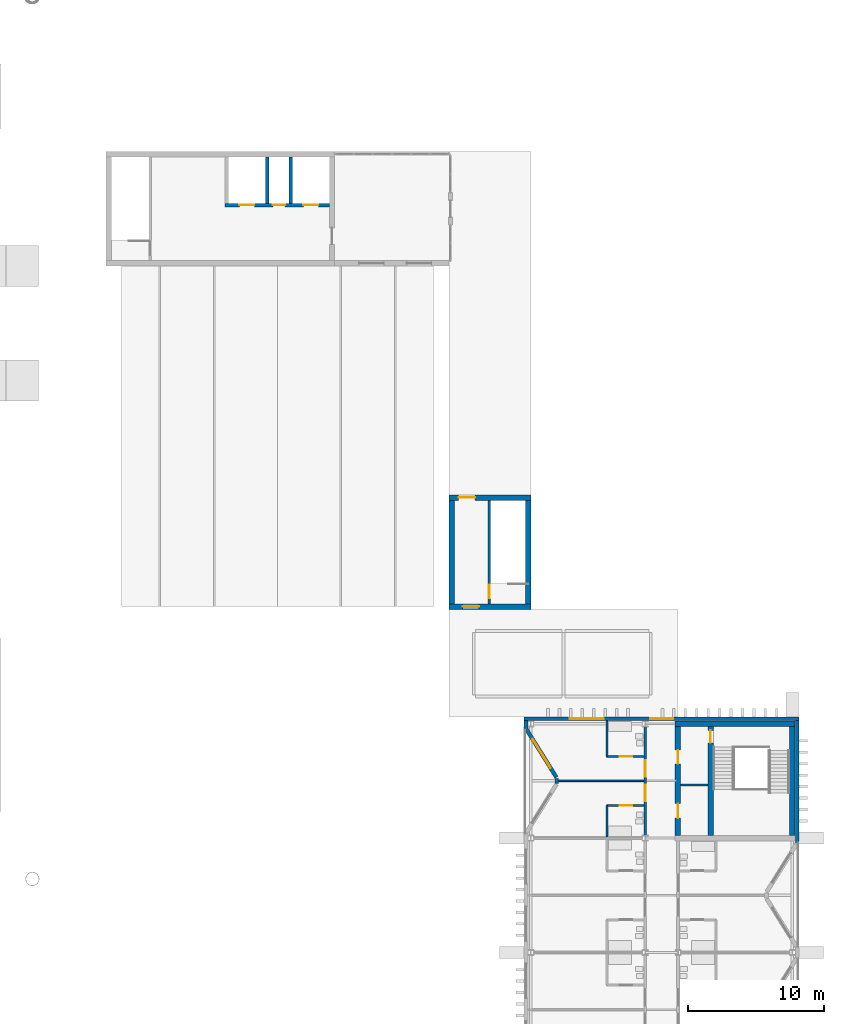
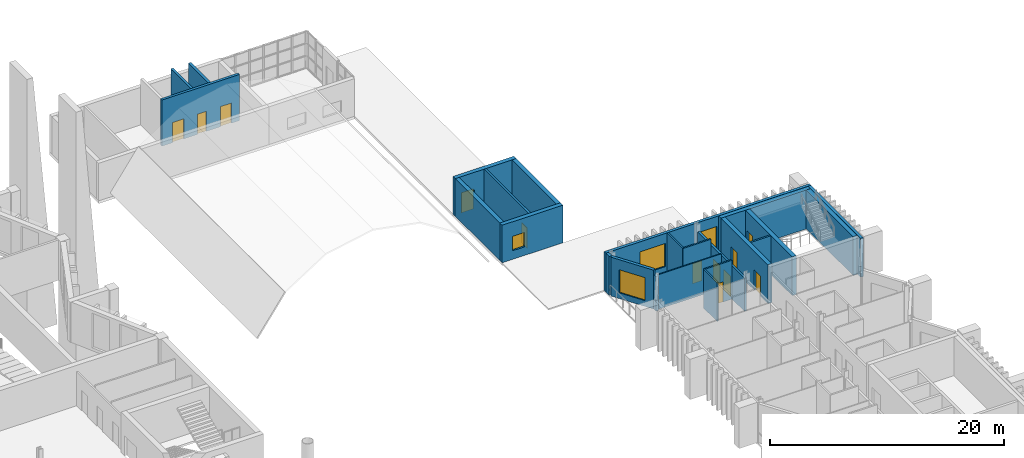
# One storey, part 78 of 100: 24 walls, 12 doors, 4 windows, 16 openings.
"""IFC4 building model written with IfcOpenShell, lengths in metres."""

from ifc_helpers import new_model, si_unit, direction, frame, frame_2d, origin, place, context, subcontext, project, spatial, rectangle, extrude, material, layer, layer_set, type_object, element, fill, save


model = new_model("IFC4")

# Units and contexts
model_context = context("Model", 3, precision=1e-05, world=origin(), true_north=direction((0.0, 1.0)))
body_context = subcontext(model_context, "Body", "Model", "MODEL_VIEW")
ifc_project = project(units=[si_unit("LENGTHUNIT", "METRE"), si_unit("AREAUNIT", "SQUARE_METRE"), si_unit("VOLUMEUNIT", "CUBIC_METRE"), si_unit("PLANEANGLEUNIT", "RADIAN"), si_unit("MASSUNIT", "GRAM", prefix="KILO")], contexts=[model_context])

# Site, building, storey
site_placement = place(None, origin())
site = spatial("IfcSite", under=ifc_project, at=site_placement, CompositionType="ELEMENT")
building_placement = place(site_placement, origin())
building = spatial("IfcBuilding", under=site, at=building_placement, Name="Cresset Court Congress Hotel", CompositionType="ELEMENT")
storey_placement = place(building_placement, frame((0.0, 0.0, 10.199951171875)))
storey = spatial("IfcBuildingStorey", under=building, at=storey_placement, Name="L02", CompositionType="ELEMENT", Elevation=10.199951171875)

# Wall, openings, doors
ifc_material_1 = material(Name="Gypsum board partition")
ifc_layer_1 = layer(ifc_material_1, 0.199951171875)
ifc_layer_set_1 = layer_set([ifc_layer_1], Name="Corridor wall 200")
wall_type_1 = type_object("IfcWallType", Name="Corridor wall 200", PredefinedType="PARTITIONING", material=ifc_layer_set_1)
wall_1_placement = place(storey_placement, frame((165.60009765625, 59.007080078125, 0.0), z_axis=(0.0, 0.0, 1.0), x_axis=(0.0, 1.0, 0.0)))
wall_1 = element("IfcWall", 1, at=wall_1_placement, inside=storey, type_object=wall_type_1, Name="A.wl.L02.068", PredefinedType="PARTITIONING", context=body_context, shape_type="SweptSolid", body=[
    extrude(rectangle(XDim=7.98583984375, YDim=0.199951171875, at=frame_2d((3.992919921875, 0.0))), origin(), (0.0, 0.0, 1.0), 3.449951171875),
])
opening_1_placement = place(wall_1_placement, frame((2.492919921875, 0.0, 0.0)))
opening_1 = element("IfcOpeningElement", 2, at=opening_1_placement, cuts=wall_1, Name="Opening DA-02-24", PredefinedType="OPENING", context=body_context, shape_type="SweptSolid", body=[
    extrude(rectangle(XDim=1.199951171875, YDim=2.10009765625, at=frame_2d((0.60009765625, 1.050048828125))), frame((0.0, 0.10986328125, 0.0), z_axis=(0.0, -1.0, 0.0), x_axis=(1.0, 0.0, 0.0)), (0.0, 0.0, 1.0), 0.219970703125),
])
opening_2_placement = place(wall_1_placement, frame((4.29296875, 0.0, 0.0)))
opening_2 = element("IfcOpeningElement", 3, at=opening_2_placement, cuts=wall_1, Name="Opening DA-02-26", PredefinedType="OPENING", context=body_context, shape_type="SweptSolid", body=[
    extrude(rectangle(XDim=1.199951171875, YDim=2.10009765625, at=frame_2d((0.60009765625, 1.050048828125))), frame((0.0, 0.10986328125, 0.0), z_axis=(0.0, -1.0, 0.0), x_axis=(1.0, 0.0, 0.0)), (0.0, 0.0, 1.0), 0.219970703125),
])
ifc_material_2 = material(Name="timber", Category="wood")
door_type_1 = type_object("IfcDoorType", Name="Guest-room entry door 1200x2100 FD30S", OperationType="SINGLE_SWING_LEFT", PredefinedType="DOOR", material=ifc_material_2)
door_1_placement = place(opening_1_placement, origin())
door_1 = element("IfcDoor", 4, at=door_1_placement, inside=storey, type_object=door_type_1, Name="Door DA-02-24", OperationType="SINGLE_SWING_RIGHT", OverallHeight=2.10009765625, OverallWidth=1.199951171875, PredefinedType="DOOR", context=body_context, shape_type="SweptSolid", body=[
    extrude(rectangle(XDim=1.199951171875, YDim=2.10009765625, at=frame_2d((0.60009765625, 1.050048828125))), frame((0.0, 0.02490234375, 0.0), z_axis=(0.0, -1.0, 0.0), x_axis=(1.0, 0.0, 0.0)), (0.0, 0.0, 1.0), 0.050048828125),
])
fill(opening_1, door_1)
door_2_placement = place(opening_2_placement, origin())
door_2 = element("IfcDoor", 5, at=door_2_placement, inside=storey, type_object=door_type_1, Name="Door DA-02-26", OperationType="SINGLE_SWING_LEFT", OverallHeight=2.10009765625, OverallWidth=1.199951171875, PredefinedType="DOOR", context=body_context, shape_type="SweptSolid", body=[
    extrude(rectangle(XDim=1.199951171875, YDim=2.10009765625, at=frame_2d((0.60009765625, 1.050048828125))), frame((0.0, 0.02490234375, 0.0), z_axis=(0.0, -1.0, 0.0), x_axis=(1.0, 0.0, 0.0)), (0.0, 0.0, 1.0), 0.050048828125),
])
fill(opening_2, door_2)

# Wall
ifc_material_3 = material(Name="Gypsum board partition")
ifc_layer_2 = layer(ifc_material_3, 0.14990234375)
ifc_layer_set_2 = layer_set([ifc_layer_2], Name="En-suite wall 150")
wall_type_2 = type_object("IfcWallType", Name="En-suite wall 150", PredefinedType="PARTITIONING", material=ifc_layer_set_2)
wall_2_placement = place(storey_placement, frame((162.800048828125, 58.875, 0.0), z_axis=(0.0, 0.0, 1.0), x_axis=(0.0, 1.0, 0.0)))
element("IfcWall", 6, at=wall_2_placement, inside=storey, type_object=wall_type_2, Name="A.wl.L02.017", PredefinedType="PARTITIONING", context=body_context, shape_type="SweptSolid", body=[
    extrude(rectangle(XDim=2.324951171875, YDim=0.14990234375, at=frame_2d((1.16259765625, 0.0))), origin(), (0.0, 0.0, 1.0), 4.050048828125),
])

# Wall, opening, door
wall_3_placement = place(storey_placement, frame((162.75, 61.199951171875, 0.0), z_axis=(0.0, 0.0, 1.0), x_axis=(1.0, 0.0, 0.0)))
wall_3 = element("IfcWall", 7, at=wall_3_placement, inside=storey, type_object=wall_type_2, Name="A.wl.L02.018", PredefinedType="PARTITIONING", context=body_context, shape_type="SweptSolid", body=[
    extrude(rectangle(XDim=2.75, YDim=0.14990234375, at=frame_2d((1.375, 0.0))), origin(), (0.0, 0.0, 1.0), 4.050048828125),
])
opening_3_placement = place(wall_3_placement, frame((0.97998046875, 0.0, 0.0)))
opening_3 = element("IfcOpeningElement", 8, at=opening_3_placement, cuts=wall_3, Name="Opening DA-02-23", PredefinedType="OPENING", context=body_context, shape_type="SweptSolid", body=[
    extrude(rectangle(XDim=0.89990234375, YDim=2.10009765625, at=frame_2d((0.449951171875, 1.050048828125))), frame((0.0, 0.0849609375, 0.0), z_axis=(0.0, -1.0, 0.0), x_axis=(1.0, 0.0, 0.0)), (0.0, 0.0, 1.0), 0.169921875),
])
ifc_material_4 = material(Name="timber", Category="wood")
door_type_2 = type_object("IfcDoorType", Name="En-suite door 900x2100", OperationType="SINGLE_SWING_LEFT", PredefinedType="DOOR", material=ifc_material_4)
door_3_placement = place(opening_3_placement, origin())
door_3 = element("IfcDoor", 9, at=door_3_placement, inside=storey, type_object=door_type_2, Name="Door DA-02-23", OperationType="SINGLE_SWING_RIGHT", OverallHeight=2.10009765625, OverallWidth=0.89990234375, PredefinedType="DOOR", context=body_context, shape_type="SweptSolid", body=[
    extrude(rectangle(XDim=0.89990234375, YDim=2.10009765625, at=frame_2d((0.449951171875, 1.050048828125))), frame((0.0, 0.02490234375, 0.0), z_axis=(0.0, -1.0, 0.0), x_axis=(1.0, 0.0, 0.0)), (0.0, 0.0, 1.0), 0.050048828125),
])
fill(opening_3, door_3)

# Wall
wall_4_placement = place(storey_placement, frame((162.800048828125, 64.800048828125, 0.0), z_axis=(0.0, 0.0, 1.0), x_axis=(0.0, 1.0, 0.0)))
element("IfcWall", 10, at=wall_4_placement, inside=storey, type_object=wall_type_2, Name="A.wl.L02.019", PredefinedType="PARTITIONING", context=body_context, shape_type="SweptSolid", body=[
    extrude(rectangle(XDim=2.619873046875, YDim=0.14990234375, at=frame_2d((1.31005859375, 0.0))), origin(), (0.0, 0.0, 1.0), 4.050048828125),
])

# Wall, opening, door
wall_5_placement = place(storey_placement, frame((162.75, 64.800048828125, 0.0), z_axis=(0.0, 0.0, 1.0), x_axis=(1.0, 0.0, 0.0)))
wall_5 = element("IfcWall", 11, at=wall_5_placement, inside=storey, type_object=wall_type_2, Name="A.wl.L02.020", PredefinedType="PARTITIONING", context=body_context, shape_type="SweptSolid", body=[
    extrude(rectangle(XDim=2.75, YDim=0.14990234375, at=frame_2d((1.375, 0.0))), origin(), (0.0, 0.0, 1.0), 4.050048828125),
])
opening_4_placement = place(wall_5_placement, frame((0.97998046875, 0.0, 0.0)))
opening_4 = element("IfcOpeningElement", 12, at=opening_4_placement, cuts=wall_5, Name="Opening DA-02-25", PredefinedType="OPENING", context=body_context, shape_type="SweptSolid", body=[
    extrude(rectangle(XDim=0.89990234375, YDim=2.10009765625, at=frame_2d((0.449951171875, 1.050048828125))), frame((0.0, 0.0849609375, 0.0), z_axis=(0.0, -1.0, 0.0), x_axis=(1.0, 0.0, 0.0)), (0.0, 0.0, 1.0), 0.169921875),
])
door_4_placement = place(opening_4_placement, origin())
door_4 = element("IfcDoor", 13, at=door_4_placement, inside=storey, type_object=door_type_2, Name="Door DA-02-25", OperationType="SINGLE_SWING_LEFT", OverallHeight=2.10009765625, OverallWidth=0.89990234375, PredefinedType="DOOR", context=body_context, shape_type="SweptSolid", body=[
    extrude(rectangle(XDim=0.89990234375, YDim=2.10009765625, at=frame_2d((0.449951171875, 1.050048828125))), frame((0.0, 0.02490234375, 0.0), z_axis=(0.0, -1.0, 0.0), x_axis=(1.0, 0.0, 0.0)), (0.0, 0.0, 1.0), 0.050048828125),
])
fill(opening_4, door_4)

# Wall, opening, window
ifc_material_5 = material(Name="Precast concrete C50", Category="concrete")
ifc_layer_3 = layer(ifc_material_5, 0.280029296875)
ifc_layer_set_3 = layer_set([ifc_layer_3], Name="External wall 280")
wall_type_3 = type_object("IfcWallType", Name="External wall 280", PredefinedType="SOLIDWALL", material=ifc_layer_set_3)
wall_6_placement = place(storey_placement, frame((159.07861328125, 63.259033203125, 0.0), z_axis=(0.0, 0.0, 1.0), x_axis=(-0.529018946142, 0.848610013271, 0.0)))
wall_6 = element("IfcWall", 14, at=wall_6_placement, inside=storey, type_object=wall_type_3, Name="A.ew.L02.Wn.7.1", PredefinedType="SOLIDWALL", context=body_context, shape_type="SweptSolid", body=[
    extrude(rectangle(XDim=4.144287109375, YDim=0.280029296875, at=frame_2d((2.072265625, 0.0))), origin(), (0.0, 0.0, 1.0), 4.050048828125),
])
opening_5_placement = place(wall_6_placement, frame((0.812255859375, 0.0, 0.60009765625)))
opening_5 = element("IfcOpeningElement", 15, at=opening_5_placement, cuts=wall_6, Name="Opening NA-02-10", PredefinedType="OPENING", context=body_context, shape_type="SweptSolid", body=[
    extrude(rectangle(XDim=2.52001953125, YDim=2.39990234375, at=frame_2d((1.260009765625, 1.199951171875))), frame((0.0, 0.14990234375, 0.0), z_axis=(0.0, -1.0, 0.0), x_axis=(1.0, 0.0, 0.0)), (0.0, 0.0, 1.0), 0.300048828125),
])
ifc_material_6 = material(Name="Aluminium and glass", Category="aluminium")
window_type_1 = type_object("IfcWindowType", Name="Window 2520x2400", PartitioningType="SINGLE_PANEL", PredefinedType="WINDOW", material=ifc_material_6)
window_1_placement = place(opening_5_placement, origin())
window_1 = element("IfcWindow", 16, at=window_1_placement, inside=storey, type_object=window_type_1, Name="Window NA-02-10", OverallHeight=2.39990234375, OverallWidth=2.52001953125, PartitioningType="SINGLE_PANEL", PredefinedType="WINDOW", context=body_context, shape_type="SweptSolid", body=[
    extrude(rectangle(XDim=2.52001953125, YDim=2.39990234375, at=frame_2d((1.260009765625, 1.199951171875))), frame((0.0, 0.030029296875, 0.0), z_axis=(0.0, -1.0, 0.0), x_axis=(1.0, 0.0, 0.0)), (0.0, 0.0, 1.0), 0.06005859375),
])
fill(opening_5, window_1)

# Walls
wall_7_placement = place(storey_placement, frame((159.099609375, 62.815185546875, 0.0), z_axis=(0.0, 0.0, 1.0), x_axis=(0.0, 1.0, 0.0)))
element("IfcWall", 17, at=wall_7_placement, inside=storey, type_object=wall_type_3, Name="A.ew.L02.Wn.7.2", PredefinedType="SOLIDWALL", context=body_context, shape_type="SweptSolid", body=[
    extrude(rectangle(XDim=0.36962890625, YDim=0.280029296875, at=frame_2d((0.184814453125, 0.0))), origin(), (0.0, 0.0, 1.0), 3.60400390625),
])
wall_8_placement = place(storey_placement, frame((156.840087890625, 66.85009765625, 0.0), z_axis=(0.0, 0.0, 1.0), x_axis=(0.0, 1.0, 0.0)))
element("IfcWall", 18, at=wall_8_placement, inside=storey, type_object=wall_type_3, Name="A.ew.L02.W.4", PredefinedType="SOLIDWALL", context=body_context, shape_type="SweptSolid", body=[
    extrude(rectangle(XDim=0.56982421875, YDim=0.280029296875, at=frame_2d((0.284912109375, 0.0))), origin(), (0.0, 0.0, 1.0), 4.050048828125),
])
wall_9_placement = place(storey_placement, frame((176.760009765625, 58.449951171875, 0.0), z_axis=(0.0, 0.0, 1.0), x_axis=(0.0, 1.0, 0.0)))
element("IfcWall", 19, at=wall_9_placement, inside=storey, type_object=wall_type_3, Name="A.ew.L02.E.3", PredefinedType="SOLIDWALL", context=body_context, shape_type="SweptSolid", body=[
    extrude(rectangle(XDim=8.969970703125, YDim=0.280029296875, at=frame_2d((4.48486328125, 0.0))), origin(), (0.0, 0.0, 1.0), 4.050048828125),
])

# Wall, openings, windows
ifc_material_7 = material(Name="Precast concrete C50", Category="concrete")
ifc_layer_4 = layer(ifc_material_7, 0.280029296875)
ifc_layer_set_4 = layer_set([ifc_layer_4], Name="Gable end wall 280")
wall_type_4 = type_object("IfcWallType", Name="Gable end wall 280", PredefinedType="SOLIDWALL", material=ifc_layer_set_4)
wall_10_placement = place(storey_placement, frame((156.699951171875, 67.56005859375, 0.0), z_axis=(0.0, 0.0, 1.0), x_axis=(1.0, 0.0, 0.0)))
wall_10 = element("IfcWall", 20, at=wall_10_placement, inside=storey, type_object=wall_type_4, Name="A.ew.L02.N.1", PredefinedType="SOLIDWALL", context=body_context, shape_type="SweptSolid", body=[
    extrude(rectangle(XDim=20.199951171875, YDim=0.280029296875, at=frame_2d((10.10009765625, 0.0))), origin(), (0.0, 0.0, 1.0), 4.050048828125),
])
opening_6_placement = place(wall_10_placement, frame((9.260009765625, 0.0, 0.60009765625)))
opening_6 = element("IfcOpeningElement", 21, at=opening_6_placement, cuts=wall_10, Name="Opening NA-02-21", PredefinedType="OPENING", context=body_context, shape_type="SweptSolid", body=[
    extrude(rectangle(XDim=1.679931640625, YDim=2.39990234375, at=frame_2d((0.83984375, 1.199951171875))), frame((0.0, 0.14990234375, 0.0), z_axis=(0.0, -1.0, 0.0), x_axis=(1.0, 0.0, 0.0)), (0.0, 0.0, 1.0), 0.300048828125),
])
opening_7_placement = place(wall_10_placement, frame((3.340087890625, 0.0, 0.60009765625)))
opening_7 = element("IfcOpeningElement", 22, at=opening_7_placement, cuts=wall_10, Name="Opening NA-02-22", PredefinedType="OPENING", context=body_context, shape_type="SweptSolid", body=[
    extrude(rectangle(XDim=2.52001953125, YDim=2.39990234375, at=frame_2d((1.260009765625, 1.199951171875))), frame((0.0, 0.14990234375, 0.0), z_axis=(0.0, -1.0, 0.0), x_axis=(1.0, 0.0, 0.0)), (0.0, 0.0, 1.0), 0.300048828125),
])
ifc_material_8 = material(Name="Aluminium and glass", Category="aluminium")
window_type_2 = type_object("IfcWindowType", Name="Window 1680x2400", PartitioningType="SINGLE_PANEL", PredefinedType="WINDOW", material=ifc_material_8)
window_2_placement = place(opening_6_placement, origin())
window_2 = element("IfcWindow", 23, at=window_2_placement, inside=storey, type_object=window_type_2, Name="Window NA-02-21", OverallHeight=2.39990234375, OverallWidth=1.679931640625, PartitioningType="SINGLE_PANEL", PredefinedType="WINDOW", context=body_context, shape_type="SweptSolid", body=[
    extrude(rectangle(XDim=1.679931640625, YDim=2.39990234375, at=frame_2d((0.83984375, 1.199951171875))), frame((0.0, 0.030029296875, 0.0), z_axis=(0.0, -1.0, 0.0), x_axis=(1.0, 0.0, 0.0)), (0.0, 0.0, 1.0), 0.06005859375),
])
fill(opening_6, window_2)
window_3_placement = place(opening_7_placement, origin())
window_3 = element("IfcWindow", 24, at=window_3_placement, inside=storey, type_object=window_type_1, Name="Window NA-02-22", OverallHeight=2.39990234375, OverallWidth=2.52001953125, PartitioningType="SINGLE_PANEL", PredefinedType="WINDOW", context=body_context, shape_type="SweptSolid", body=[
    extrude(rectangle(XDim=2.52001953125, YDim=2.39990234375, at=frame_2d((1.260009765625, 1.199951171875))), frame((0.0, 0.030029296875, 0.0), z_axis=(0.0, -1.0, 0.0), x_axis=(1.0, 0.0, 0.0)), (0.0, 0.0, 1.0), 0.06005859375),
])
fill(opening_7, window_3)

# Wall
ifc_material_9 = material(Name="Gypsum board partition")
ifc_layer_5 = layer(ifc_material_9, 0.10009765625)
ifc_layer_set_5 = layer_set([ifc_layer_5], Name="Guest-room partition 100")
wall_type_5 = type_object("IfcWallType", Name="Guest-room partition 100", PredefinedType="PARTITIONING", material=ifc_layer_set_5)
wall_11_placement = place(storey_placement, frame((159.23974609375, 63.0, 0.0), z_axis=(0.0, 0.0, 1.0), x_axis=(1.0, 0.0, 0.0)))
element("IfcWall", 25, at=wall_11_placement, inside=storey, type_object=wall_type_5, Name="A.wl.L02.053", PredefinedType="PARTITIONING", context=body_context, shape_type="SweptSolid", body=[
    extrude(rectangle(XDim=6.26025390625, YDim=0.10009765625, at=frame_2d((3.130126953125, 0.0))), origin(), (0.0, 0.0, 1.0), 3.60400390625),
])

# Wall, opening, door
ifc_material_10 = material(Name="Concrete C50", Category="concrete")
ifc_layer_6 = layer(ifc_material_10, 0.39990234375)
ifc_layer_set_6 = layer_set([ifc_layer_6], Name="RC core wall 400 C50")
wall_type_6 = type_object("IfcWallType", Name="RC core wall 400 C50", PredefinedType="SOLIDWALL", material=ifc_layer_set_6)
wall_12_placement = place(storey_placement, frame((151.199951171875, 83.800048828125, 0.0), z_axis=(0.0, 0.0, 1.0), x_axis=(1.0, 0.0, 0.0)))
wall_12 = element("IfcWall", 26, at=wall_12_placement, inside=storey, type_object=wall_type_6, Name="ST-E2 north wall", PredefinedType="SOLIDWALL", context=body_context, shape_type="SweptSolid", body=[
    extrude(rectangle(XDim=6.0, YDim=0.39990234375, at=frame_2d((3.0, 0.0))), origin(), (0.0, 0.0, 1.0), 3.920166015625),
])
opening_8_placement = place(wall_12_placement, frame((0.699951171875, 0.0, 0.0)))
opening_8 = element("IfcOpeningElement", 27, at=opening_8_placement, cuts=wall_12, Name="Opening DE-02-07", PredefinedType="OPENING", context=body_context, shape_type="SweptSolid", body=[
    extrude(rectangle(XDim=1.199951171875, YDim=2.10009765625, at=frame_2d((0.60009765625, 1.050048828125))), frame((0.0, 0.2099609375, 0.0), z_axis=(0.0, -1.0, 0.0), x_axis=(1.0, 0.0, 0.0)), (0.0, 0.0, 1.0), 0.419921875),
])
ifc_material_11 = material(Name="Timber door leaf", Category="wood")
door_type_3 = type_object("IfcDoorType", Name="Stair lobby door 1200x2100", OperationType="SINGLE_SWING_LEFT", PredefinedType="DOOR", material=ifc_material_11)
door_5_placement = place(opening_8_placement, origin())
door_5 = element("IfcDoor", 28, at=door_5_placement, inside=storey, type_object=door_type_3, Name="Stair lobby door DE-02-07", OperationType="SINGLE_SWING_LEFT", OverallHeight=2.10009765625, OverallWidth=1.199951171875, PredefinedType="DOOR", context=body_context, shape_type="SweptSolid", body=[
    extrude(rectangle(XDim=1.199951171875, YDim=2.10009765625, at=frame_2d((0.60009765625, 1.050048828125))), frame((0.0, 0.02490234375, 0.0), z_axis=(0.0, -1.0, 0.0), x_axis=(1.0, 0.0, 0.0)), (0.0, 0.0, 1.0), 0.050048828125),
])
fill(opening_8, door_5)

# Wall
wall_13_placement = place(storey_placement, frame((151.39990234375, 76.0, 0.0), z_axis=(0.0, 0.0, 1.0), x_axis=(0.0, 1.0, 0.0)))
element("IfcWall", 29, at=wall_13_placement, inside=storey, type_object=wall_type_6, Name="ST-E2 west wall", PredefinedType="SOLIDWALL", context=body_context, shape_type="SweptSolid", body=[
    extrude(rectangle(XDim=7.60009765625, YDim=0.39990234375, at=frame_2d((3.800048828125, 0.0))), origin(), (0.0, 0.0, 1.0), 3.920166015625),
])

# Wall, opening, window
ifc_material_12 = material(Name="Concrete C50", Category="concrete")
ifc_layer_7 = layer(ifc_material_12, 0.39990234375)
ifc_layer_set_7 = layer_set([ifc_layer_7], Name="RC core wall 400 C50 external")
wall_type_7 = type_object("IfcWallType", Name="RC core wall 400 C50 external", PredefinedType="SOLIDWALL", material=ifc_layer_set_7)
wall_14_placement = place(storey_placement, frame((151.199951171875, 75.800048828125, 0.0), z_axis=(0.0, 0.0, 1.0), x_axis=(1.0, 0.0, 0.0)))
wall_14 = element("IfcWall", 30, at=wall_14_placement, inside=storey, type_object=wall_type_7, Name="ST-E2 south wall", PredefinedType="SOLIDWALL", context=body_context, shape_type="SweptSolid", body=[
    extrude(rectangle(XDim=6.0, YDim=0.39990234375, at=frame_2d((3.0, 0.0))), origin(), (0.0, 0.0, 1.0), 3.920166015625),
])
opening_9_placement = place(wall_14_placement, frame((1.0, 0.0, 0.89990234375)))
opening_9 = element("IfcOpeningElement", 31, at=opening_9_placement, cuts=wall_14, Name="Opening NE-02-01", PredefinedType="OPENING", context=body_context, shape_type="SweptSolid", body=[
    extrude(rectangle(XDim=1.199951171875, YDim=1.5, at=frame_2d((0.60009765625, 0.75))), frame((0.0, 0.2099609375, 0.0), z_axis=(0.0, -1.0, 0.0), x_axis=(1.0, 0.0, 0.0)), (0.0, 0.0, 1.0), 0.419921875),
])
ifc_material_13 = material(Name="Aluminium frame with insulated glass", Category="aluminium")
window_type_3 = type_object("IfcWindowType", Name="Window 1200x1500", PartitioningType="SINGLE_PANEL", PredefinedType="WINDOW", material=ifc_material_13)
window_4_placement = place(opening_9_placement, origin())
window_4 = element("IfcWindow", 32, at=window_4_placement, inside=storey, type_object=window_type_3, Name="Window NE-02-01", OverallHeight=1.5, OverallWidth=1.199951171875, PartitioningType="SINGLE_PANEL", PredefinedType="WINDOW", context=body_context, shape_type="SweptSolid", body=[
    extrude(rectangle(XDim=1.199951171875, YDim=1.5, at=frame_2d((0.60009765625, 0.75))), frame((0.0, 0.030029296875, 0.0), z_axis=(0.0, -1.0, 0.0), x_axis=(1.0, 0.0, 0.0)), (0.0, 0.0, 1.0), 0.06005859375),
])
fill(opening_9, window_4)

# Wall
wall_15_placement = place(storey_placement, frame((157.0, 76.0, 0.0), z_axis=(0.0, 0.0, 1.0), x_axis=(0.0, 1.0, 0.0)))
element("IfcWall", 33, at=wall_15_placement, inside=storey, type_object=wall_type_7, Name="ST-E2 east wall", PredefinedType="SOLIDWALL", context=body_context, shape_type="SweptSolid", body=[
    extrude(rectangle(XDim=7.60009765625, YDim=0.39990234375, at=frame_2d((3.800048828125, 0.0))), origin(), (0.0, 0.0, 1.0), 3.920166015625),
])

# Wall, openings, doors
ifc_material_14 = material(Name="Concrete C50", Category="concrete")
ifc_layer_8 = layer(ifc_material_14, 0.25)
ifc_layer_set_8 = layer_set([ifc_layer_8], Name="RC lift shaft wall 250 C50")
wall_type_8 = type_object("IfcWallType", Name="RC lift shaft wall 250 C50", PredefinedType="SOLIDWALL", material=ifc_layer_set_8)
wall_16_placement = place(storey_placement, frame((134.75, 105.27490234375, 0.0), z_axis=(0.0, 0.0, 1.0), x_axis=(1.0, 0.0, 0.0)))
wall_16 = element("IfcWall", 34, at=wall_16_placement, inside=storey, type_object=wall_type_8, Name="Lift shaft front wall", PredefinedType="SOLIDWALL", context=body_context, shape_type="SweptSolid", body=[
    extrude(rectangle(XDim=7.64990234375, YDim=0.25, at=frame_2d((3.824951171875, 0.0))), origin(), (0.0, 0.0, 1.0), 4.800048828125),
])
opening_10_placement = place(wall_16_placement, frame((1.050048828125, 0.0, 0.0)))
opening_10 = element("IfcOpeningElement", 35, at=opening_10_placement, cuts=wall_16, Name="Opening DE-02-02", PredefinedType="OPENING", context=body_context, shape_type="SweptSolid", body=[
    extrude(rectangle(XDim=1.10009765625, YDim=2.10009765625, at=frame_2d((0.550048828125, 1.050048828125))), frame((0.0, 0.135009765625, 0.0), z_axis=(0.0, -1.0, 0.0), x_axis=(1.0, 0.0, 0.0)), (0.0, 0.0, 1.0), 0.27001953125),
])
opening_11_placement = place(wall_16_placement, frame((5.75, 0.0, 0.0)))
opening_11 = element("IfcOpeningElement", 36, at=opening_11_placement, cuts=wall_16, Name="Opening DE-02-03", PredefinedType="OPENING", context=body_context, shape_type="SweptSolid", body=[
    extrude(rectangle(XDim=1.10009765625, YDim=2.10009765625, at=frame_2d((0.550048828125, 1.050048828125))), frame((0.0, 0.135009765625, 0.0), z_axis=(0.0, -1.0, 0.0), x_axis=(1.0, 0.0, 0.0)), (0.0, 0.0, 1.0), 0.27001953125),
])
opening_12_placement = place(wall_16_placement, frame((3.5, 0.0, 0.0)))
opening_12 = element("IfcOpeningElement", 37, at=opening_12_placement, cuts=wall_16, Name="Opening DE-02-04", PredefinedType="OPENING", context=body_context, shape_type="SweptSolid", body=[
    extrude(rectangle(XDim=0.89990234375, YDim=2.10009765625, at=frame_2d((0.449951171875, 1.050048828125))), frame((0.0, 0.135009765625, 0.0), z_axis=(0.0, -1.0, 0.0), x_axis=(1.0, 0.0, 0.0)), (0.0, 0.0, 1.0), 0.27001953125),
])
ifc_material_15 = material(Name="Stainless steel", Category="steel")
door_type_4 = type_object("IfcDoorType", Name="Lift landing door 1100x2100", OperationType="DOUBLE_DOOR_SLIDING", PredefinedType="DOOR", material=ifc_material_15)
door_6_placement = place(opening_10_placement, origin())
door_6 = element("IfcDoor", 38, at=door_6_placement, inside=storey, type_object=door_type_4, Name="Lift landing door DE-02-02", OperationType="DOUBLE_DOOR_SLIDING", OverallHeight=2.10009765625, OverallWidth=1.10009765625, PredefinedType="DOOR", context=body_context, shape_type="SweptSolid", body=[
    extrude(rectangle(XDim=1.10009765625, YDim=2.10009765625, at=frame_2d((0.550048828125, 1.050048828125))), frame((0.0, 0.02490234375, 0.0), z_axis=(0.0, -1.0, 0.0), x_axis=(1.0, 0.0, 0.0)), (0.0, 0.0, 1.0), 0.050048828125),
])
fill(opening_10, door_6)
door_7_placement = place(opening_11_placement, origin())
door_7 = element("IfcDoor", 39, at=door_7_placement, inside=storey, type_object=door_type_4, Name="Lift landing door DE-02-03", OperationType="DOUBLE_DOOR_SLIDING", OverallHeight=2.10009765625, OverallWidth=1.10009765625, PredefinedType="DOOR", context=body_context, shape_type="SweptSolid", body=[
    extrude(rectangle(XDim=1.10009765625, YDim=2.10009765625, at=frame_2d((0.550048828125, 1.050048828125))), frame((0.0, 0.02490234375, 0.0), z_axis=(0.0, -1.0, 0.0), x_axis=(1.0, 0.0, 0.0)), (0.0, 0.0, 1.0), 0.050048828125),
])
fill(opening_11, door_7)
ifc_material_16 = material(Name="Timber door leaf", Category="wood")
door_type_5 = type_object("IfcDoorType", Name="Riser door 900x2100", OperationType="SINGLE_SWING_LEFT", PredefinedType="DOOR", material=ifc_material_16)
door_8_placement = place(opening_12_placement, origin())
door_8 = element("IfcDoor", 40, at=door_8_placement, inside=storey, type_object=door_type_5, Name="Riser door DE-02-04", OperationType="SINGLE_SWING_LEFT", OverallHeight=2.10009765625, OverallWidth=0.89990234375, PredefinedType="DOOR", context=body_context, shape_type="SweptSolid", body=[
    extrude(rectangle(XDim=0.89990234375, YDim=2.10009765625, at=frame_2d((0.449951171875, 1.050048828125))), frame((0.0, 0.02490234375, 0.0), z_axis=(0.0, -1.0, 0.0), x_axis=(1.0, 0.0, 0.0)), (0.0, 0.0, 1.0), 0.050048828125),
])
fill(opening_12, door_8)

# Walls
for number, where, z_axis, x_axis, name in (
    (41, (137.85009765625, 105.39990234375, 0.0), (0.0, 0.0, 1.0), (0.0, 1.0, 0.0), "Lift shaft wall A"),
    (42, (139.574951171875, 105.39990234375, 0.0), (0.0, 0.0, 1.0), (0.0, 1.0, 0.0), "Lift shaft wall B"),
):
    element("IfcWall", number, at=place(storey_placement, frame(where, z_axis=z_axis, x_axis=x_axis)), inside=storey, type_object=wall_type_8, Name=name, PredefinedType="SOLIDWALL", context=body_context, shape_type="SweptSolid", body=[
        extrude(rectangle(XDim=3.400146484375, YDim=0.25, at=frame_2d((1.7001953125, 0.0))), origin(), (0.0, 0.0, 1.0), 4.800048828125),
    ])

# Wall, opening, door
ifc_material_17 = material(Name="Concrete C40", Category="concrete")
ifc_layer_9 = layer(ifc_material_17, 0.199951171875)
ifc_layer_set_9 = layer_set([ifc_layer_9], Name="RC stair enclosure wall 200 C40")
wall_type_9 = type_object("IfcWallType", Name="RC stair enclosure wall 200 C40", PredefinedType="SOLIDWALL", material=ifc_layer_set_9)
wall_17_placement = place(storey_placement, frame((154.14990234375, 76.0, 0.0), z_axis=(0.0, 0.0, 1.0), x_axis=(0.0, 1.0, 0.0)))
wall_17 = element("IfcWall", 43, at=wall_17_placement, inside=storey, type_object=wall_type_9, Name="ST-E2 stair enclosure wall", PredefinedType="SOLIDWALL", context=body_context, shape_type="SweptSolid", body=[
    extrude(rectangle(XDim=7.60009765625, YDim=0.199951171875, at=frame_2d((3.800048828125, 0.0))), origin(), (0.0, 0.0, 1.0), 3.920166015625),
])
opening_13_placement = place(wall_17_placement, frame((0.39990234375, 0.0, 0.0)))
opening_13 = element("IfcOpeningElement", 44, at=opening_13_placement, cuts=wall_17, Name="Opening DE-02-06", PredefinedType="OPENING", context=body_context, shape_type="SweptSolid", body=[
    extrude(rectangle(XDim=1.0, YDim=2.10009765625, at=frame_2d((0.5, 1.050048828125))), frame((0.0, 0.10986328125, 0.0), z_axis=(0.0, -1.0, 0.0), x_axis=(1.0, 0.0, 0.0)), (0.0, 0.0, 1.0), 0.219970703125),
])
ifc_material_18 = material(Name="Timber door leaf", Category="wood")
door_type_6 = type_object("IfcDoorType", Name="Stair door 1000x2100", OperationType="SINGLE_SWING_LEFT", PredefinedType="DOOR", material=ifc_material_18)
door_9_placement = place(opening_13_placement, origin())
door_9 = element("IfcDoor", 45, at=door_9_placement, inside=storey, type_object=door_type_6, Name="Stair door DE-02-06", OperationType="SINGLE_SWING_LEFT", OverallHeight=2.10009765625, OverallWidth=1.0, PredefinedType="DOOR", context=body_context, shape_type="SweptSolid", body=[
    extrude(rectangle(XDim=1.0, YDim=2.10009765625, at=frame_2d((0.5, 1.050048828125))), frame((0.0, 0.02490234375, 0.0), z_axis=(0.0, -1.0, 0.0), x_axis=(1.0, 0.0, 0.0)), (0.0, 0.0, 1.0), 0.050048828125),
])
fill(opening_13, door_9)

# Walls
ifc_material_19 = material(Name="Concrete block wall", Category="concrete")
ifc_layer_10 = layer(ifc_material_19, 0.175048828125)
ifc_layer_set_10 = layer_set([ifc_layer_10], Name="Riser shaft wall 175")
wall_type_10 = type_object("IfcWallType", Name="Riser shaft wall 175", PredefinedType="PARTITIONING", material=ifc_layer_set_10)
wall_18_placement = place(storey_placement, frame((168.199951171875, 62.699951171875, 0.0), z_axis=(0.0, 0.0, 1.0), x_axis=(1.0, 0.0, 0.0)))
element("IfcWall", 46, at=wall_18_placement, inside=storey, type_object=wall_type_10, Name="A.wl.L02.076", PredefinedType="PARTITIONING", context=body_context, shape_type="SweptSolid", body=[
    extrude(rectangle(XDim=2.0, YDim=0.175048828125, at=frame_2d((1.0, 0.0))), origin(), (0.0, 0.0, 1.0), 4.050048828125),
])
ifc_material_20 = material(Name="Concrete C50", Category="concrete")
ifc_layer_11 = layer(ifc_material_20, 0.39990234375)
ifc_layer_set_11 = layer_set([ifc_layer_11], Name="Stair core wall 400")
wall_type_11 = type_object("IfcWallType", Name="Stair core wall 400", PredefinedType="SOLIDWALL", material=ifc_layer_set_11)
wall_19_placement = place(storey_placement, frame((167.800048828125, 67.199951171875, 0.0), z_axis=(0.0, 0.0, 1.0), x_axis=(1.0, 0.0, 0.0)))
element("IfcWall", 47, at=wall_19_placement, inside=storey, type_object=wall_type_11, Name="A.cw.ST-A2.L02.N", PredefinedType="SOLIDWALL", context=body_context, shape_type="SweptSolid", body=[
    extrude(rectangle(XDim=8.800048828125, YDim=0.39990234375, at=frame_2d((4.39990234375, 0.0))), origin(), (0.0, 0.0, 1.0), 4.050048828125),
])

# Wall, openings, doors
wall_20_placement = place(storey_placement, frame((168.0, 59.0, 0.0), z_axis=(0.0, 0.0, 1.0), x_axis=(0.0, 1.0, 0.0)))
wall_20 = element("IfcWall", 48, at=wall_20_placement, inside=storey, type_object=wall_type_11, Name="A.cw.ST-A2.L02.W", PredefinedType="SOLIDWALL", context=body_context, shape_type="SweptSolid", body=[
    extrude(rectangle(XDim=8.0, YDim=0.39990234375, at=frame_2d((4.0, 0.0))), origin(), (0.0, 0.0, 1.0), 4.050048828125),
])
opening_14_placement = place(wall_20_placement, frame((5.25, 0.0, 0.0)))
opening_14 = element("IfcOpeningElement", 49, at=opening_14_placement, cuts=wall_20, Name="Opening DA-02-47", PredefinedType="OPENING", context=body_context, shape_type="SweptSolid", body=[
    extrude(rectangle(XDim=1.0, YDim=2.10009765625, at=frame_2d((0.5, 1.050048828125))), frame((0.0, 0.2099609375, 0.0), z_axis=(0.0, -1.0, 0.0), x_axis=(1.0, 0.0, 0.0)), (0.0, 0.0, 1.0), 0.419921875),
])
opening_15_placement = place(wall_20_placement, frame((1.27490234375, 0.0, 0.0)))
opening_15 = element("IfcOpeningElement", 50, at=opening_15_placement, cuts=wall_20, Name="Opening DA-02-48", PredefinedType="OPENING", context=body_context, shape_type="SweptSolid", body=[
    extrude(rectangle(XDim=1.050048828125, YDim=2.10009765625, at=frame_2d((0.52490234375, 1.050048828125))), frame((0.0, 0.2099609375, 0.0), z_axis=(0.0, -1.0, 0.0), x_axis=(1.0, 0.0, 0.0)), (0.0, 0.0, 1.0), 0.419921875),
])
ifc_material_21 = material(Name="steel", Category="steel")
door_type_7 = type_object("IfcDoorType", Name="Housekeeping room door 1050x2100 FD30", OperationType="SINGLE_SWING_LEFT", PredefinedType="DOOR", material=ifc_material_21)
door_10_placement = place(opening_15_placement, origin())
door_10 = element("IfcDoor", 51, at=door_10_placement, inside=storey, type_object=door_type_7, Name="Door DA-02-48", OperationType="SINGLE_SWING_RIGHT", OverallHeight=2.10009765625, OverallWidth=1.050048828125, PredefinedType="DOOR", context=body_context, shape_type="SweptSolid", body=[
    extrude(rectangle(XDim=1.050048828125, YDim=2.10009765625, at=frame_2d((0.52490234375, 1.050048828125))), frame((0.0, 0.02490234375, 0.0), z_axis=(0.0, -1.0, 0.0), x_axis=(1.0, 0.0, 0.0)), (0.0, 0.0, 1.0), 0.050048828125),
])
fill(opening_15, door_10)
ifc_material_22 = material(Name="steel", Category="steel")
door_type_8 = type_object("IfcDoorType", Name="Lobby door 1000x2100 FD60", OperationType="SINGLE_SWING_LEFT", PredefinedType="DOOR", material=ifc_material_22)
door_11_placement = place(opening_14_placement, origin())
door_11 = element("IfcDoor", 52, at=door_11_placement, inside=storey, type_object=door_type_8, Name="Door DA-02-47", OperationType="SINGLE_SWING_LEFT", OverallHeight=2.10009765625, OverallWidth=1.0, PredefinedType="DOOR", context=body_context, shape_type="SweptSolid", body=[
    extrude(rectangle(XDim=1.0, YDim=2.10009765625, at=frame_2d((0.5, 1.050048828125))), frame((0.0, 0.02490234375, 0.0), z_axis=(0.0, -1.0, 0.0), x_axis=(1.0, 0.0, 0.0)), (0.0, 0.0, 1.0), 0.050048828125),
])
fill(opening_14, door_11)

# Wall
wall_21_placement = place(storey_placement, frame((176.39990234375, 59.0, 0.0), z_axis=(0.0, 0.0, 1.0), x_axis=(0.0, 1.0, 0.0)))
element("IfcWall", 53, at=wall_21_placement, inside=storey, type_object=wall_type_11, Name="A.cw.ST-A2.L02.E", PredefinedType="SOLIDWALL", context=body_context, shape_type="SweptSolid", body=[
    extrude(rectangle(XDim=8.0, YDim=0.39990234375, at=frame_2d((4.0, 0.0))), origin(), (0.0, 0.0, 1.0), 4.050048828125),
])

# Wall, opening, door
wall_22_placement = place(storey_placement, frame((170.39990234375, 59.0, 0.0), z_axis=(0.0, 0.0, 1.0), x_axis=(0.0, 1.0, 0.0)))
wall_22 = element("IfcWall", 54, at=wall_22_placement, inside=storey, type_object=wall_type_11, Name="A.wl.L02.075", PredefinedType="SOLIDWALL", context=body_context, shape_type="SweptSolid", body=[
    extrude(rectangle(XDim=8.0, YDim=0.39990234375, at=frame_2d((4.0, 0.0))), origin(), (0.0, 0.0, 1.0), 4.050048828125),
])
opening_16_placement = place(wall_22_placement, frame((6.800048828125, 0.0, 0.0)))
opening_16 = element("IfcOpeningElement", 55, at=opening_16_placement, cuts=wall_22, Name="Opening DA-02-46", PredefinedType="OPENING", context=body_context, shape_type="SweptSolid", body=[
    extrude(rectangle(XDim=0.89990234375, YDim=2.10009765625, at=frame_2d((0.449951171875, 1.050048828125))), frame((0.0, 0.2099609375, 0.0), z_axis=(0.0, -1.0, 0.0), x_axis=(1.0, 0.0, 0.0)), (0.0, 0.0, 1.0), 0.419921875),
])
ifc_material_23 = material(Name="steel", Category="steel")
door_type_9 = type_object("IfcDoorType", Name="Stair door 900x2100 FD60", OperationType="SINGLE_SWING_LEFT", PredefinedType="DOOR", material=ifc_material_23)
door_12_placement = place(opening_16_placement, origin())
door_12 = element("IfcDoor", 56, at=door_12_placement, inside=storey, type_object=door_type_9, Name="Door DA-02-46", OperationType="SINGLE_SWING_RIGHT", OverallHeight=2.10009765625, OverallWidth=0.89990234375, PredefinedType="DOOR", context=body_context, shape_type="SweptSolid", body=[
    extrude(rectangle(XDim=0.89990234375, YDim=2.10009765625, at=frame_2d((0.449951171875, 1.050048828125))), frame((0.0, 0.02490234375, 0.0), z_axis=(0.0, -1.0, 0.0), x_axis=(1.0, 0.0, 0.0)), (0.0, 0.0, 1.0), 0.050048828125),
])
fill(opening_16, door_12)

save(model, "model.ifc")
